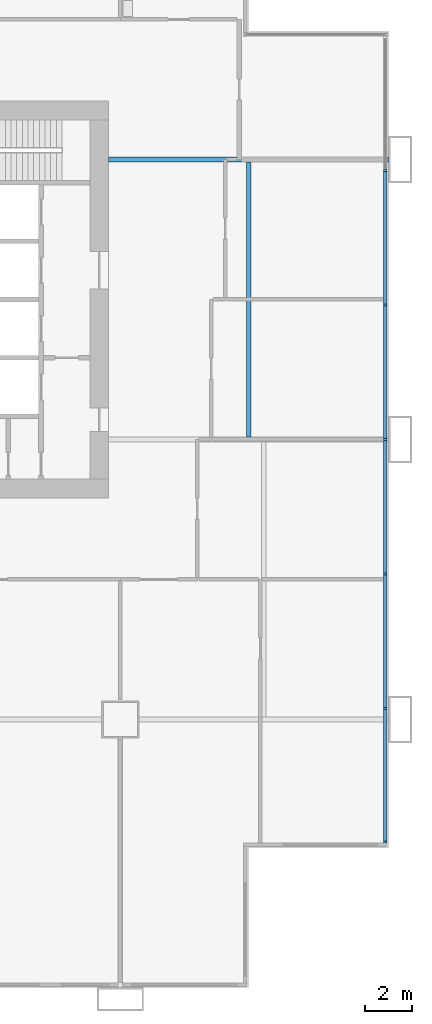
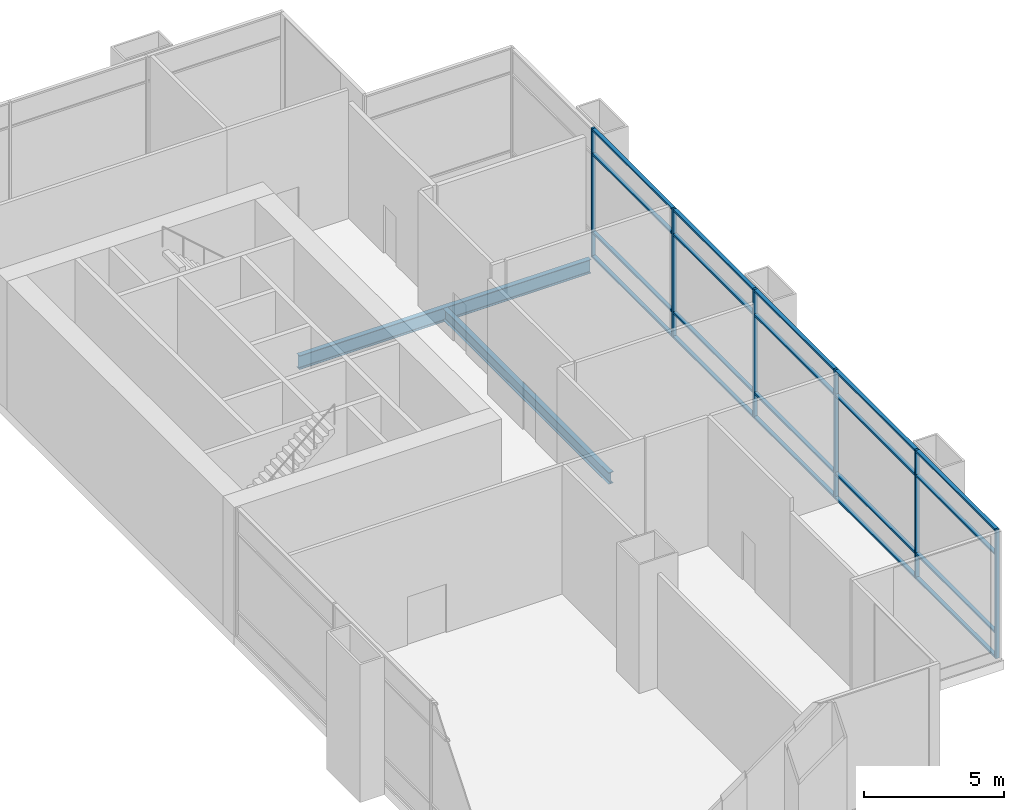
# One storey, part 14 of 30: 26 members, 2 beams, 1 element without a shape of its own.
"""IFC4 building model written with IfcOpenShell, lengths in metres."""

from ifc_helpers import new_model, si_unit, direction, frame, origin, origin_2d, place, context, subcontext, project, spatial, rectangle, i_section, extrude, material, material_profile, profile_set, type_object, element, aggregate, save


model = new_model("IFC4")

# Units and contexts
model_context = context("Model", 3, precision=1e-05, world=origin(), true_north=direction((0.0, 1.0)))
body_context = subcontext(model_context, "Body", "Model", "MODEL_VIEW")
ifc_project = project(units=[si_unit("LENGTHUNIT", "METRE"), si_unit("AREAUNIT", "SQUARE_METRE"), si_unit("VOLUMEUNIT", "CUBIC_METRE"), si_unit("PLANEANGLEUNIT", "RADIAN"), si_unit("MASSUNIT", "GRAM", prefix="KILO")], contexts=[model_context])

# Site, building, storey
site_placement = place(None, origin())
site = spatial("IfcSite", under=ifc_project, at=site_placement, CompositionType="ELEMENT")
building_placement = place(site_placement, origin())
building = spatial("IfcBuilding", under=site, at=building_placement, Name="Kitamizu Gate Tower and Museum", CompositionType="ELEMENT")
storey_placement = place(building_placement, frame((0.0, 0.0, 6.0)))
storey = spatial("IfcBuildingStorey", under=building, at=storey_placement, Name="L01", CompositionType="ELEMENT", Elevation=6.0)

# Beams
ifc_material_1 = material(Name="Steel SM490A", Category="steel")
ifc_material_profile_1 = material_profile(ifc_material_1, i_section(OverallWidth=0.199951171875, OverallDepth=0.5, WebThickness=0.010009765625, FlangeThickness=0.01611328125, FilletRadius=0.02001953125, at=origin_2d()), Name="H-500x200x10x16")
ifc_profile_set_1 = profile_set([ifc_material_profile_1], Name="Steel SM490A")
beam_type_1 = type_object("IfcBeamType", Name="Floor beam FB1 H 500x200x10x16", PredefinedType="BEAM", material=ifc_profile_set_1)
beam_1_placement = place(storey_placement, frame((65.5, 24.10009765625, -0.64990234375), z_axis=(0.0, 1.0, 0.0), x_axis=(-1.0, 0.0, 0.0)))
element("IfcBeam", 1, at=beam_1_placement, inside=storey, type_object=beam_type_1, Name="Floor beam FB1 L01-4", PredefinedType="BEAM", context=body_context, shape_type="SweptSolid", body=[
    extrude(i_section(OverallWidth=0.199951171875, OverallDepth=0.5, WebThickness=0.010009765625, FlangeThickness=0.01611328125, FilletRadius=0.02001953125, at=origin_2d()), origin(), (0.0, 0.0, 1.0), 11.7998046875),
])
ifc_material_2 = material(Name="Steel SM490A", Category="steel")
ifc_material_profile_2 = material_profile(ifc_material_2, i_section(OverallWidth=0.199951171875, OverallDepth=0.60009765625, WebThickness=0.010986328125, FlangeThickness=0.01708984375, FilletRadius=0.02197265625, at=origin_2d()), Name="H-600x200x11x17")
ifc_profile_set_2 = profile_set([ifc_material_profile_2], Name="Steel SM490A")
beam_type_2 = type_object("IfcBeamType", Name="Floor girder FG1 H 600x200x11x17", PredefinedType="BEAM", material=ifc_profile_set_2)
beam_2_placement = place(storey_placement, frame((59.5, 36.0, -0.699951171875), z_axis=(1.0, 0.0, 0.0), x_axis=(0.0, 1.0, 0.0)))
element("IfcBeam", 2, at=beam_2_placement, inside=storey, type_object=beam_type_2, Name="Floor girder FG1 y36 L01", PredefinedType="BEAM", context=body_context, shape_type="SweptSolid", body=[
    extrude(i_section(OverallWidth=0.199951171875, OverallDepth=0.60009765625, WebThickness=0.010986328125, FlangeThickness=0.01708984375, FilletRadius=0.02197265625, at=origin_2d()), origin(), (0.0, 0.0, 1.0), 12.0),
])

# Curtain wall, members
ifc_material_3 = material(Name="Bronze anodised aluminium frame, tinted triple glazing", Category="aluminium")
curtain_wall_type = type_object("IfcCurtainWallType", Name="CURTAIN WALL TYPE A PODIUM", PredefinedType="NOTDEFINED", material=ifc_material_3)
curtain_wall_placement = place(storey_placement, origin())
curtain_wall = element("IfcCurtainWall", 3, at=curtain_wall_placement, inside=storey, type_object=curtain_wall_type, Name="Curtain wall CW-A east L01", PredefinedType="NOTDEFINED")
ifc_material_4 = material(Name="Bronze anodised aluminium", Category="aluminium")
ifc_material_profile_3 = material_profile(ifc_material_4, rectangle(XDim=0.090087890625, YDim=0.14990234375, at=origin_2d()), Name="AL 90X150")
ifc_profile_set_3 = profile_set([ifc_material_profile_3], Name="Bronze anodised aluminium")
member_type_1 = type_object("IfcMemberType", Name="MULLION 90 X 150 TYPE A", PredefinedType="MULLION", material=ifc_profile_set_3)
member_1_placement = place(storey_placement, frame((71.364990234375, 6.7548828125, 0.0), z_axis=(0.0, 0.0, 1.0), x_axis=(0.0, 1.0, 0.0)))
member_1 = element("IfcMember", 4, at=member_1_placement, type_object=member_type_1, Name="CW-A mullion 1", PredefinedType="MULLION", context=body_context, shape_type="SweptSolid", body=[
    extrude(rectangle(XDim=0.090087890625, YDim=0.14990234375, at=origin_2d()), origin(), (0.0, 0.0, 1.0), 5.60009765625),
])
member_2_placement = place(storey_placement, frame((71.364990234375, 12.473388671875, 0.0), z_axis=(0.0, 0.0, 1.0), x_axis=(0.0, 1.0, 0.0)))
member_2 = element("IfcMember", 5, at=member_2_placement, type_object=member_type_1, Name="CW-A mullion 2", PredefinedType="MULLION", context=body_context, shape_type="SweptSolid", body=[
    extrude(rectangle(XDim=0.090087890625, YDim=0.14990234375, at=origin_2d()), origin(), (0.0, 0.0, 1.0), 5.60009765625),
])
member_3_placement = place(storey_placement, frame((71.364990234375, 18.236572265625, 0.0), z_axis=(0.0, 0.0, 1.0), x_axis=(0.0, 1.0, 0.0)))
member_3 = element("IfcMember", 6, at=member_3_placement, type_object=member_type_1, Name="CW-A mullion 3", PredefinedType="MULLION", context=body_context, shape_type="SweptSolid", body=[
    extrude(rectangle(XDim=0.090087890625, YDim=0.14990234375, at=origin_2d()), origin(), (0.0, 0.0, 1.0), 5.60009765625),
])
member_4_placement = place(storey_placement, frame((71.364990234375, 24.0, 0.0), z_axis=(0.0, 0.0, 1.0), x_axis=(0.0, 1.0, 0.0)))
member_4 = element("IfcMember", 7, at=member_4_placement, type_object=member_type_1, Name="CW-A mullion 4", PredefinedType="MULLION", context=body_context, shape_type="SweptSolid", body=[
    extrude(rectangle(XDim=0.090087890625, YDim=0.14990234375, at=origin_2d()), origin(), (0.0, 0.0, 1.0), 5.60009765625),
])
member_5_placement = place(storey_placement, frame((71.364990234375, 29.763427734375, 0.0), z_axis=(0.0, 0.0, 1.0), x_axis=(0.0, 1.0, 0.0)))
member_5 = element("IfcMember", 8, at=member_5_placement, type_object=member_type_1, Name="CW-A mullion 5", PredefinedType="MULLION", context=body_context, shape_type="SweptSolid", body=[
    extrude(rectangle(XDim=0.090087890625, YDim=0.14990234375, at=origin_2d()), origin(), (0.0, 0.0, 1.0), 5.60009765625),
])
member_6_placement = place(storey_placement, frame((71.364990234375, 35.526611328125, 0.0), z_axis=(0.0, 0.0, 1.0), x_axis=(0.0, 1.0, 0.0)))
member_6 = element("IfcMember", 9, at=member_6_placement, type_object=member_type_1, Name="CW-A mullion 6", PredefinedType="MULLION", context=body_context, shape_type="SweptSolid", body=[
    extrude(rectangle(XDim=0.090087890625, YDim=0.14990234375, at=origin_2d()), origin(), (0.0, 0.0, 1.0), 5.60009765625),
])
ifc_material_5 = material(Name="Bronze anodised aluminium", Category="aluminium")
ifc_material_profile_4 = material_profile(ifc_material_5, rectangle(XDim=0.14990234375, YDim=0.080078125, at=origin_2d()), Name="AL 80X150")
ifc_profile_set_4 = profile_set([ifc_material_profile_4], Name="Bronze anodised aluminium")
member_type_2 = type_object("IfcMemberType", Name="TRANSOM 80 X 150 TYPE A", PredefinedType="USERDEFINED", material=ifc_profile_set_4)
member_7_placement = place(storey_placement, frame((71.364990234375, 6.800048828125, 0.0400390625), z_axis=(0.0, 1.0, 0.0), x_axis=(-1.0, 0.0, 0.0)))
member_7 = element("IfcMember", 10, at=member_7_placement, type_object=member_type_2, Name="CW-A transom 1.1", ObjectType="TRANSOM", PredefinedType="USERDEFINED", context=body_context, shape_type="SweptSolid", body=[
    extrude(rectangle(XDim=0.14990234375, YDim=0.080078125, at=origin_2d()), origin(), (0.0, 0.0, 1.0), 5.628173828125),
])
member_8_placement = place(storey_placement, frame((71.364990234375, 6.800048828125, 1.10009765625), z_axis=(0.0, 1.0, 0.0), x_axis=(-1.0, 0.0, 0.0)))
member_8 = element("IfcMember", 11, at=member_8_placement, type_object=member_type_2, Name="CW-A transom 1.2", ObjectType="TRANSOM", PredefinedType="USERDEFINED", context=body_context, shape_type="SweptSolid", body=[
    extrude(rectangle(XDim=0.14990234375, YDim=0.080078125, at=origin_2d()), origin(), (0.0, 0.0, 1.0), 5.628173828125),
])
member_9_placement = place(storey_placement, frame((71.364990234375, 6.800048828125, 4.5), z_axis=(0.0, 1.0, 0.0), x_axis=(-1.0, 0.0, 0.0)))
member_9 = element("IfcMember", 12, at=member_9_placement, type_object=member_type_2, Name="CW-A transom 1.3", ObjectType="TRANSOM", PredefinedType="USERDEFINED", context=body_context, shape_type="SweptSolid", body=[
    extrude(rectangle(XDim=0.14990234375, YDim=0.080078125, at=origin_2d()), origin(), (0.0, 0.0, 1.0), 5.628173828125),
])
member_10_placement = place(storey_placement, frame((71.364990234375, 6.800048828125, 5.56005859375), z_axis=(0.0, 1.0, 0.0), x_axis=(-1.0, 0.0, 0.0)))
member_10 = element("IfcMember", 13, at=member_10_placement, type_object=member_type_2, Name="CW-A transom 1.4", ObjectType="TRANSOM", PredefinedType="USERDEFINED", context=body_context, shape_type="SweptSolid", body=[
    extrude(rectangle(XDim=0.14990234375, YDim=0.080078125, at=origin_2d()), origin(), (0.0, 0.0, 1.0), 5.628173828125),
])
member_11_placement = place(storey_placement, frame((71.364990234375, 12.518310546875, 0.0400390625), z_axis=(0.0, 1.0, 0.0), x_axis=(-1.0, 0.0, 0.0)))
member_11 = element("IfcMember", 14, at=member_11_placement, type_object=member_type_2, Name="CW-A transom 2.1", ObjectType="TRANSOM", PredefinedType="USERDEFINED", context=body_context, shape_type="SweptSolid", body=[
    extrude(rectangle(XDim=0.14990234375, YDim=0.080078125, at=origin_2d()), origin(), (0.0, 0.0, 1.0), 5.67333984375),
])
member_12_placement = place(storey_placement, frame((71.364990234375, 12.518310546875, 1.10009765625), z_axis=(0.0, 1.0, 0.0), x_axis=(-1.0, 0.0, 0.0)))
member_12 = element("IfcMember", 15, at=member_12_placement, type_object=member_type_2, Name="CW-A transom 2.2", ObjectType="TRANSOM", PredefinedType="USERDEFINED", context=body_context, shape_type="SweptSolid", body=[
    extrude(rectangle(XDim=0.14990234375, YDim=0.080078125, at=origin_2d()), origin(), (0.0, 0.0, 1.0), 5.67333984375),
])
member_13_placement = place(storey_placement, frame((71.364990234375, 12.518310546875, 4.5), z_axis=(0.0, 1.0, 0.0), x_axis=(-1.0, 0.0, 0.0)))
member_13 = element("IfcMember", 16, at=member_13_placement, type_object=member_type_2, Name="CW-A transom 2.3", ObjectType="TRANSOM", PredefinedType="USERDEFINED", context=body_context, shape_type="SweptSolid", body=[
    extrude(rectangle(XDim=0.14990234375, YDim=0.080078125, at=origin_2d()), origin(), (0.0, 0.0, 1.0), 5.67333984375),
])
member_14_placement = place(storey_placement, frame((71.364990234375, 12.518310546875, 5.56005859375), z_axis=(0.0, 1.0, 0.0), x_axis=(-1.0, 0.0, 0.0)))
member_14 = element("IfcMember", 17, at=member_14_placement, type_object=member_type_2, Name="CW-A transom 2.4", ObjectType="TRANSOM", PredefinedType="USERDEFINED", context=body_context, shape_type="SweptSolid", body=[
    extrude(rectangle(XDim=0.14990234375, YDim=0.080078125, at=origin_2d()), origin(), (0.0, 0.0, 1.0), 5.67333984375),
])
member_15_placement = place(storey_placement, frame((71.364990234375, 18.28173828125, 0.0400390625), z_axis=(0.0, 1.0, 0.0), x_axis=(-1.0, 0.0, 0.0)))
member_15 = element("IfcMember", 18, at=member_15_placement, type_object=member_type_2, Name="CW-A transom 3.1", ObjectType="TRANSOM", PredefinedType="USERDEFINED", context=body_context, shape_type="SweptSolid", body=[
    extrude(rectangle(XDim=0.14990234375, YDim=0.080078125, at=origin_2d()), origin(), (0.0, 0.0, 1.0), 5.67333984375),
])
member_16_placement = place(storey_placement, frame((71.364990234375, 18.28173828125, 1.10009765625), z_axis=(0.0, 1.0, 0.0), x_axis=(-1.0, 0.0, 0.0)))
member_16 = element("IfcMember", 19, at=member_16_placement, type_object=member_type_2, Name="CW-A transom 3.2", ObjectType="TRANSOM", PredefinedType="USERDEFINED", context=body_context, shape_type="SweptSolid", body=[
    extrude(rectangle(XDim=0.14990234375, YDim=0.080078125, at=origin_2d()), origin(), (0.0, 0.0, 1.0), 5.67333984375),
])
member_17_placement = place(storey_placement, frame((71.364990234375, 18.28173828125, 4.5), z_axis=(0.0, 1.0, 0.0), x_axis=(-1.0, 0.0, 0.0)))
member_17 = element("IfcMember", 20, at=member_17_placement, type_object=member_type_2, Name="CW-A transom 3.3", ObjectType="TRANSOM", PredefinedType="USERDEFINED", context=body_context, shape_type="SweptSolid", body=[
    extrude(rectangle(XDim=0.14990234375, YDim=0.080078125, at=origin_2d()), origin(), (0.0, 0.0, 1.0), 5.67333984375),
])
member_18_placement = place(storey_placement, frame((71.364990234375, 18.28173828125, 5.56005859375), z_axis=(0.0, 1.0, 0.0), x_axis=(-1.0, 0.0, 0.0)))
member_18 = element("IfcMember", 21, at=member_18_placement, type_object=member_type_2, Name="CW-A transom 3.4", ObjectType="TRANSOM", PredefinedType="USERDEFINED", context=body_context, shape_type="SweptSolid", body=[
    extrude(rectangle(XDim=0.14990234375, YDim=0.080078125, at=origin_2d()), origin(), (0.0, 0.0, 1.0), 5.67333984375),
])
member_19_placement = place(storey_placement, frame((71.364990234375, 24.044921875, 0.0400390625), z_axis=(0.0, 1.0, 0.0), x_axis=(-1.0, 0.0, 0.0)))
member_19 = element("IfcMember", 22, at=member_19_placement, type_object=member_type_2, Name="CW-A transom 4.1", ObjectType="TRANSOM", PredefinedType="USERDEFINED", context=body_context, shape_type="SweptSolid", body=[
    extrude(rectangle(XDim=0.14990234375, YDim=0.080078125, at=origin_2d()), origin(), (0.0, 0.0, 1.0), 5.67333984375),
])
member_20_placement = place(storey_placement, frame((71.364990234375, 24.044921875, 1.10009765625), z_axis=(0.0, 1.0, 0.0), x_axis=(-1.0, 0.0, 0.0)))
member_20 = element("IfcMember", 23, at=member_20_placement, type_object=member_type_2, Name="CW-A transom 4.2", ObjectType="TRANSOM", PredefinedType="USERDEFINED", context=body_context, shape_type="SweptSolid", body=[
    extrude(rectangle(XDim=0.14990234375, YDim=0.080078125, at=origin_2d()), origin(), (0.0, 0.0, 1.0), 5.67333984375),
])
member_21_placement = place(storey_placement, frame((71.364990234375, 24.044921875, 4.5), z_axis=(0.0, 1.0, 0.0), x_axis=(-1.0, 0.0, 0.0)))
member_21 = element("IfcMember", 24, at=member_21_placement, type_object=member_type_2, Name="CW-A transom 4.3", ObjectType="TRANSOM", PredefinedType="USERDEFINED", context=body_context, shape_type="SweptSolid", body=[
    extrude(rectangle(XDim=0.14990234375, YDim=0.080078125, at=origin_2d()), origin(), (0.0, 0.0, 1.0), 5.67333984375),
])
member_22_placement = place(storey_placement, frame((71.364990234375, 24.044921875, 5.56005859375), z_axis=(0.0, 1.0, 0.0), x_axis=(-1.0, 0.0, 0.0)))
member_22 = element("IfcMember", 25, at=member_22_placement, type_object=member_type_2, Name="CW-A transom 4.4", ObjectType="TRANSOM", PredefinedType="USERDEFINED", context=body_context, shape_type="SweptSolid", body=[
    extrude(rectangle(XDim=0.14990234375, YDim=0.080078125, at=origin_2d()), origin(), (0.0, 0.0, 1.0), 5.67333984375),
])
member_23_placement = place(storey_placement, frame((71.364990234375, 29.808349609375, 0.0400390625), z_axis=(0.0, 1.0, 0.0), x_axis=(-1.0, 0.0, 0.0)))
member_23 = element("IfcMember", 26, at=member_23_placement, type_object=member_type_2, Name="CW-A transom 5.1", ObjectType="TRANSOM", PredefinedType="USERDEFINED", context=body_context, shape_type="SweptSolid", body=[
    extrude(rectangle(XDim=0.14990234375, YDim=0.080078125, at=origin_2d()), origin(), (0.0, 0.0, 1.0), 5.67333984375),
])
member_24_placement = place(storey_placement, frame((71.364990234375, 29.808349609375, 1.10009765625), z_axis=(0.0, 1.0, 0.0), x_axis=(-1.0, 0.0, 0.0)))
member_24 = element("IfcMember", 27, at=member_24_placement, type_object=member_type_2, Name="CW-A transom 5.2", ObjectType="TRANSOM", PredefinedType="USERDEFINED", context=body_context, shape_type="SweptSolid", body=[
    extrude(rectangle(XDim=0.14990234375, YDim=0.080078125, at=origin_2d()), origin(), (0.0, 0.0, 1.0), 5.67333984375),
])
member_25_placement = place(storey_placement, frame((71.364990234375, 29.808349609375, 4.5), z_axis=(0.0, 1.0, 0.0), x_axis=(-1.0, 0.0, 0.0)))
member_25 = element("IfcMember", 28, at=member_25_placement, type_object=member_type_2, Name="CW-A transom 5.3", ObjectType="TRANSOM", PredefinedType="USERDEFINED", context=body_context, shape_type="SweptSolid", body=[
    extrude(rectangle(XDim=0.14990234375, YDim=0.080078125, at=origin_2d()), origin(), (0.0, 0.0, 1.0), 5.67333984375),
])
member_26_placement = place(storey_placement, frame((71.364990234375, 29.808349609375, 5.56005859375), z_axis=(0.0, 1.0, 0.0), x_axis=(-1.0, 0.0, 0.0)))
member_26 = element("IfcMember", 29, at=member_26_placement, type_object=member_type_2, Name="CW-A transom 5.4", ObjectType="TRANSOM", PredefinedType="USERDEFINED", context=body_context, shape_type="SweptSolid", body=[
    extrude(rectangle(XDim=0.14990234375, YDim=0.080078125, at=origin_2d()), origin(), (0.0, 0.0, 1.0), 5.67333984375),
])
aggregate(curtain_wall, [member_1, member_2, member_3, member_4, member_5, member_6, member_7, member_8, member_9, member_10, member_11, member_12, member_13, member_14, member_15, member_16, member_17, member_18, member_19, member_20, member_21, member_22, member_23, member_24, member_25, member_26])

save(model, "model.ifc")
